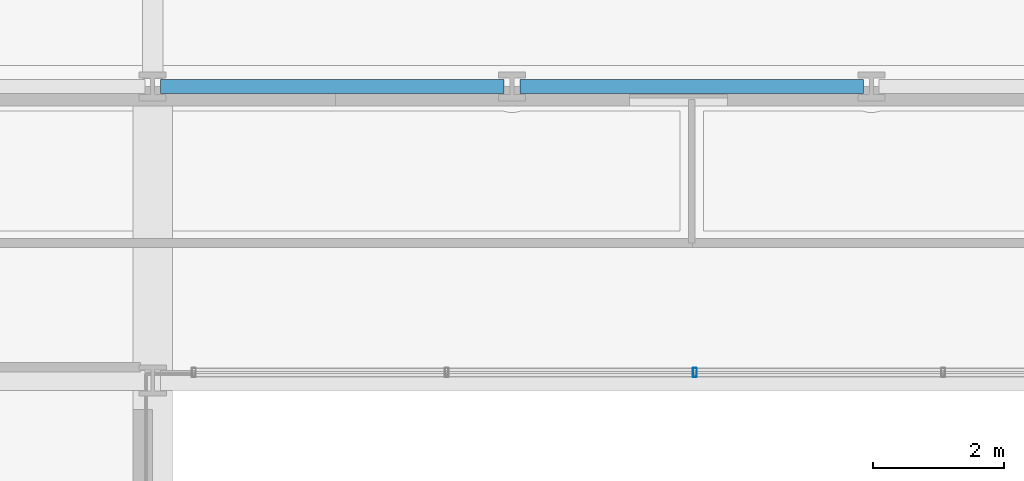
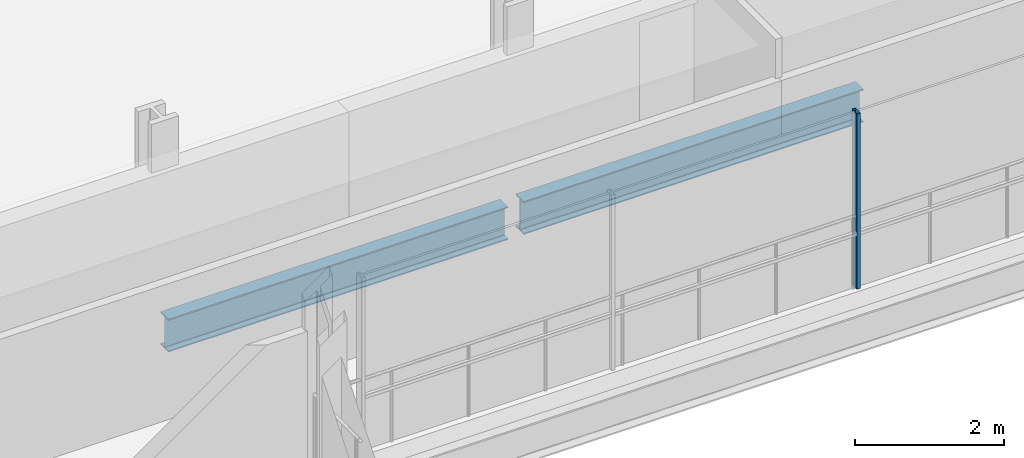
# One storey, part 11 of 38: 2 beams, 1 member, 1 element without a shape of its own.
"""IFC4 building model written with IfcOpenShell, lengths in metres."""

from ifc_helpers import new_model, si_unit, direction, frame, origin, origin_2d, place, context, subcontext, project, spatial, hollow_rectangle, i_section, extrude, material, layer, layer_set, material_profile, profile_set, type_object, element, aggregate, save


model = new_model("IFC4")

# Units and contexts
model_context = context("Model", 3, precision=1e-05, world=origin(), true_north=direction((0.0, 1.0)))
body_context = subcontext(model_context, "Body", "Model", "MODEL_VIEW")
ifc_project = project(units=[si_unit("LENGTHUNIT", "METRE"), si_unit("AREAUNIT", "SQUARE_METRE"), si_unit("VOLUMEUNIT", "CUBIC_METRE"), si_unit("PLANEANGLEUNIT", "RADIAN"), si_unit("MASSUNIT", "GRAM", prefix="KILO")], contexts=[model_context])

# Site, building, storey
site_placement = place(None, origin())
site = spatial("IfcSite", under=ifc_project, at=site_placement, CompositionType="ELEMENT")
building_placement = place(site_placement, origin())
building = spatial("IfcBuilding", under=site, at=building_placement, Name="Brevholm Reach", CompositionType="ELEMENT")
storey_placement = place(building_placement, frame((0.0, 0.0, 28.0)))
storey = spatial("IfcBuildingStorey", under=building, at=storey_placement, Name="L06", CompositionType="ELEMENT", Elevation=28.0)

# Beams
ifc_material_1 = material(Name="Structural Steel S355J2", Category="steel")
ifc_material_profile_1 = material_profile(ifc_material_1, i_section(OverallWidth=0.210693359375, OverallDepth=0.53955078125, WebThickness=0.01171875, FlangeThickness=0.018798828125, FilletRadius=0.0126953125, at=origin_2d()), Name="UKB 533x210x109")
ifc_profile_set_1 = profile_set([ifc_material_profile_1], Name="Structural Steel S355J2")
beam_type = type_object("IfcBeamType", Name="BM-SP539", PredefinedType="SPANDREL", material=ifc_profile_set_1)
for number, where, z_axis, x_axis, name in (
    (1, (21.8701171875, 31.0, -0.539794921875), (1.0, 0.0, 0.0), (0.0, 1.0, 0.0), "L06 SP-01B Framing Beam"),
    (2, (27.3701171875, 31.0, -0.539794921875), (1.0, 0.0, 0.0), (0.0, 1.0, 0.0), "L06 SP-01B Framing Beam"),
):
    element("IfcBeam", number, at=place(storey_placement, frame(where, z_axis=z_axis, x_axis=x_axis)), inside=storey, type_object=beam_type, Name=name, PredefinedType="SPANDREL", context=body_context, shape_type="SweptSolid", body=[
        extrude(i_section(OverallWidth=0.210693359375, OverallDepth=0.53955078125, WebThickness=0.01171875, FlangeThickness=0.018798828125, FilletRadius=0.0126953125, at=origin_2d()), origin(), (0.0, 0.0, 1.0), 5.259765625),
    ])

# Curtain wall, member
ifc_material_2 = material(Name="Dark Anodised Aluminium 6063-T6 and Solar-Control Glass", Category="aluminium")
ifc_layer = layer(ifc_material_2, 0.139892578125)
ifc_layer_set = layer_set([ifc_layer], Name="Dark Anodised Aluminium 6063-T6 and Solar-Control Glass")
curtain_wall_type = type_object("IfcCurtainWallType", Name="CW-02", PredefinedType="NOTDEFINED", material=ifc_layer_set)
curtain_wall_placement = place(storey_placement, origin())
curtain_wall = element("IfcCurtainWall", 3, at=curtain_wall_placement, inside=storey, type_object=curtain_wall_type, Name="L06 Curtain Wall CW-02", PredefinedType="NOTDEFINED")
ifc_material_3 = material(Name="Dark Anodised Aluminium 6063-T6", Category="aluminium")
ifc_material_profile_2 = material_profile(ifc_material_3, hollow_rectangle(XDim=0.06005859375, YDim=0.139892578125, WallThickness=0.0048828125, InnerFilletRadius=0.0048828125, OuterFilletRadius=0.010009765625, at=origin_2d()), Name="RHS 140x60x5")
ifc_profile_set_2 = profile_set([ifc_material_profile_2], Name="Dark Anodised Aluminium 6063-T6")
member_type = type_object("IfcMemberType", Name="CWM-140", PredefinedType="MULLION", material=ifc_profile_set_2)
member_placement = place(storey_placement, frame((30.050048828125, 26.6201171875, 0.0), z_axis=(0.0, 0.0, 1.0), x_axis=(-1.0, 0.0, 0.0)))
member = element("IfcMember", 4, at=member_placement, type_object=member_type, Name="CM-140 Mullion 3", PredefinedType="MULLION", context=body_context, shape_type="SweptSolid", body=[
    extrude(hollow_rectangle(XDim=0.06005859375, YDim=0.139892578125, WallThickness=0.0048828125, InnerFilletRadius=0.0048828125, OuterFilletRadius=0.010009765625, at=origin_2d()), origin(), (0.0, 0.0, 1.0), 2.8701171875),
])
aggregate(curtain_wall, [member])

save(model, "model.ifc")
